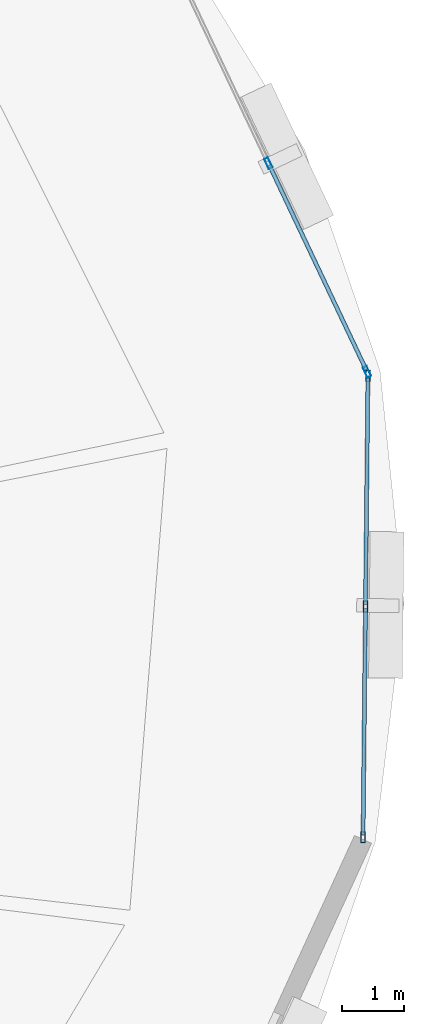
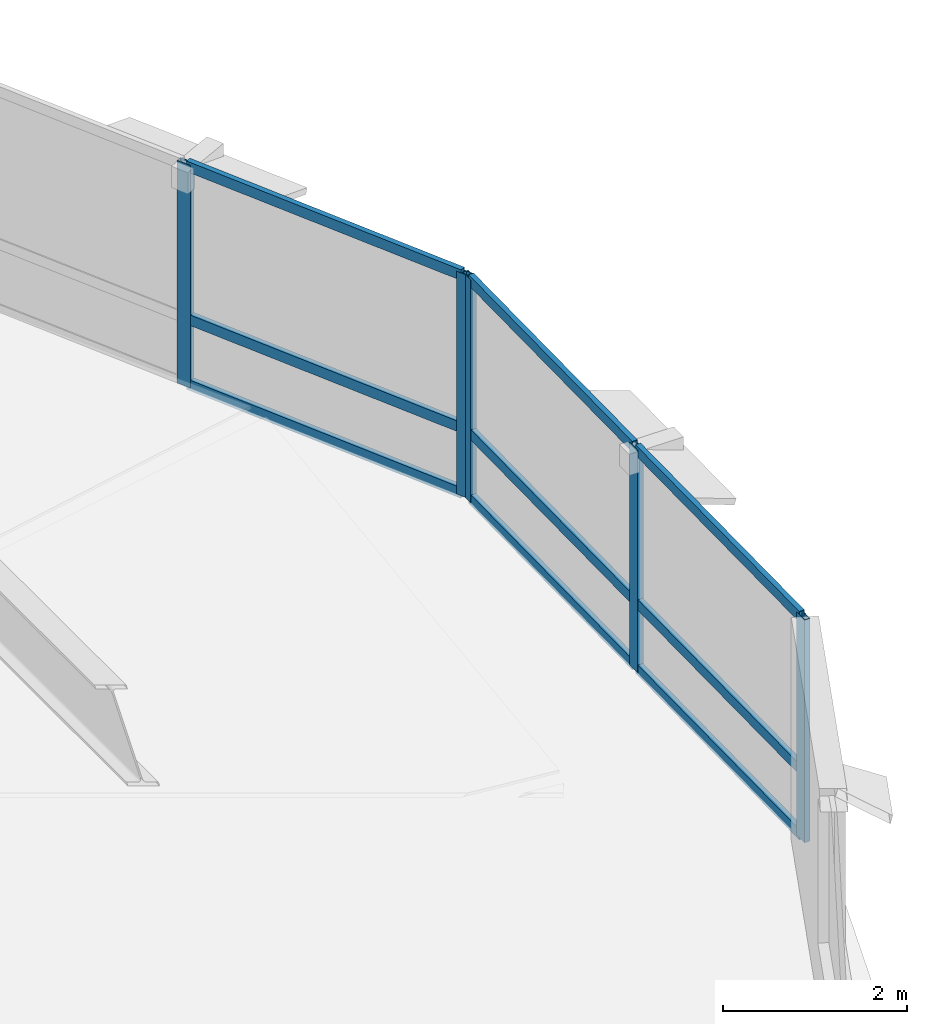
# One storey, part 8 of 17: 14 members, 2 elements without a shape of their own.
"""IFC4 building model written with IfcOpenShell, lengths in metres."""

from ifc_helpers import new_model, si_unit, direction, frame, origin, origin_2d, place, context, subcontext, project, spatial, hollow_rectangle, extrude, material, layer, layer_set, material_profile, profile_set, type_object, element, aggregate, save


model = new_model("IFC4")

# Units and contexts
model_context = context("Model", 3, precision=1e-05, world=origin(), true_north=direction((0.0, 1.0)))
body_context = subcontext(model_context, "Body", "Model", "MODEL_VIEW")
ifc_project = project(units=[si_unit("LENGTHUNIT", "METRE"), si_unit("AREAUNIT", "SQUARE_METRE"), si_unit("VOLUMEUNIT", "CUBIC_METRE"), si_unit("PLANEANGLEUNIT", "RADIAN"), si_unit("MASSUNIT", "GRAM", prefix="KILO"), si_unit("THERMODYNAMICTEMPERATUREUNIT", "KELVIN"), si_unit("POWERUNIT", "WATT")], contexts=[model_context])

# Site, building, storey
site_placement = place(None, origin())
site = spatial("IfcSite", under=ifc_project, at=site_placement, CompositionType="ELEMENT")
building_placement = place(site_placement, origin())
building = spatial("IfcBuilding", under=site, at=building_placement, Name="Ocrelia Relay Tower", CompositionType="ELEMENT")
storey_placement = place(building_placement, frame((0.0, 0.0, 84.60009765625)))
storey = spatial("IfcBuildingStorey", under=building, at=storey_placement, Name="L19", CompositionType="ELEMENT", Elevation=84.60009765625)

# Curtain wall, members
ifc_material_1 = material(Name="Aluminium and solar-control low-E glass", Category="aluminium")
ifc_layer = layer(ifc_material_1, 0.179931640625, Name="Aluminium and solar-control low-E glass")
ifc_layer_set = layer_set([ifc_layer], Name="Aluminium and solar-control low-E glass")
curtain_wall_type = type_object("IfcCurtainWallType", Name="CW-SYS-Z1-DATA", PredefinedType="NOTDEFINED", material=ifc_layer_set)
curtain_wall_1_placement = place(storey_placement, origin())
curtain_wall_1 = element("IfcCurtainWall", 1, at=curtain_wall_1_placement, inside=storey, type_object=curtain_wall_type, Name="L19 Elliptical Tower Curtain Wall Bay 01", PredefinedType="NOTDEFINED")
ifc_material_2 = material(Name="Anodised bronze aluminium", Category="aluminium")
ifc_material_profile_1 = material_profile(ifc_material_2, hollow_rectangle(XDim=0.070068359375, YDim=0.179931640625, WallThickness=0.006103515625, at=origin_2d()), Name="CW-MUL-180x70")
ifc_profile_set_1 = profile_set([ifc_material_profile_1], Name="Anodised bronze aluminium")
member_type_1 = type_object("IfcMemberType", Name="CW-SYS-Z1-DATA-MUL", PredefinedType="MULLION", material=ifc_profile_set_1)
member_1_placement = place(storey_placement, frame((61.141845703125, 31.9775390625, 0.0), z_axis=(0.0, 0.0, 1.0), x_axis=(-0.904007319027, -0.42751697878, 0.0)))
member_1 = element("IfcMember", 2, at=member_1_placement, type_object=member_type_1, Name="CW-Z1 mullion 1", PredefinedType="MULLION", context=body_context, shape_type="SweptSolid", body=[
    extrude(hollow_rectangle(XDim=0.070068359375, YDim=0.179931640625, WallThickness=0.006103515625, at=origin_2d()), origin(), (0.0, 0.0, 1.0), 2.9599609375),
])
member_2_placement = place(storey_placement, frame((59.558837890625, 35.324951171875, 0.0), z_axis=(0.0, 0.0, 1.0), x_axis=(-0.904007319027, -0.42751697878, 0.0)))
member_2 = element("IfcMember", 3, at=member_2_placement, type_object=member_type_1, Name="CW-Z1 mullion 2", PredefinedType="MULLION", context=body_context, shape_type="SweptSolid", body=[
    extrude(hollow_rectangle(XDim=0.070068359375, YDim=0.179931640625, WallThickness=0.006103515625, at=origin_2d()), origin(), (0.0, 0.0, 1.0), 2.9599609375),
])

curtain_wall_2_placement = place(storey_placement, origin())
curtain_wall_2 = element("IfcCurtainWall", 4, at=curtain_wall_2_placement, inside=storey, type_object=curtain_wall_type, Name="L19 Elliptical Tower Curtain Wall Bay 18", PredefinedType="NOTDEFINED")
member_3_placement = place(storey_placement, frame((61.077392578125, 24.505859375, 0.0), z_axis=(0.0, 0.0, 1.0), x_axis=(-0.999943306038, 0.010648225703, 0.0)))
member_3 = element("IfcMember", 5, at=member_3_placement, type_object=member_type_1, Name="CW-Z1 mullion 1", PredefinedType="MULLION", context=body_context, shape_type="SweptSolid", body=[
    extrude(hollow_rectangle(XDim=0.070068359375, YDim=0.179931640625, WallThickness=0.006103515625, at=origin_2d()), origin(), (0.0, 0.0, 1.0), 2.9599609375),
])
member_4_placement = place(storey_placement, frame((61.116943359375, 28.20849609375, 0.0), z_axis=(0.0, 0.0, 1.0), x_axis=(-0.999943306038, 0.010648225703, 0.0)))
member_4 = element("IfcMember", 6, at=member_4_placement, type_object=member_type_1, Name="CW-Z1 mullion 2", PredefinedType="MULLION", context=body_context, shape_type="SweptSolid", body=[
    extrude(hollow_rectangle(XDim=0.070068359375, YDim=0.179931640625, WallThickness=0.006103515625, at=origin_2d()), origin(), (0.0, 0.0, 1.0), 2.9599609375),
])
member_5_placement = place(storey_placement, frame((61.15625, 31.910888671875, 0.0), z_axis=(0.0, 0.0, 1.0), x_axis=(-0.999943306038, 0.010648225703, 0.0)))
member_5 = element("IfcMember", 7, at=member_5_placement, type_object=member_type_1, Name="CW-Z1 mullion 3", PredefinedType="MULLION", context=body_context, shape_type="SweptSolid", body=[
    extrude(hollow_rectangle(XDim=0.070068359375, YDim=0.179931640625, WallThickness=0.006103515625, at=origin_2d()), origin(), (0.0, 0.0, 1.0), 2.9599609375),
])

# Member
ifc_material_profile_2 = material_profile(ifc_material_2, hollow_rectangle(XDim=0.06494140625, YDim=0.139892578125, WallThickness=0.0048828125, at=origin_2d()), Name="CW-TRN-140x65")
ifc_profile_set_2 = profile_set([ifc_material_profile_2], Name="Anodised bronze aluminium")
member_type_2 = type_object("IfcMemberType", Name="CW-SYS-Z1-DATA-TRN", PredefinedType="USERDEFINED", material=ifc_profile_set_2)
member_6_placement = place(storey_placement, frame((61.126708984375, 32.00927734375, 0.032470703125), z_axis=(-0.42750845312, 0.904011350875, 0.0), x_axis=(-0.904011350875, -0.42750845312, 0.0)))
member_6 = element("IfcMember", 8, at=member_6_placement, type_object=member_type_2, Name="CW-Z1 transom 1.1", ObjectType="TRANSOM", PredefinedType="USERDEFINED", context=body_context, shape_type="SweptSolid", body=[
    extrude(hollow_rectangle(XDim=0.06494140625, YDim=0.139892578125, WallThickness=0.0048828125, at=origin_2d()), origin(), (0.0, 0.0, 1.0), 3.632568359375),
])

member_7_placement = place(storey_placement, frame((61.126708984375, 32.00927734375, 0.89990234375), z_axis=(-0.42750845312, 0.904011350875, 0.0), x_axis=(-0.904011350875, -0.42750845312, 0.0)))
member_7 = element("IfcMember", 9, at=member_7_placement, type_object=member_type_2, Name="CW-Z1 transom 1.2", ObjectType="TRANSOM", PredefinedType="USERDEFINED", context=body_context, shape_type="SweptSolid", body=[
    extrude(hollow_rectangle(XDim=0.06494140625, YDim=0.139892578125, WallThickness=0.0048828125, at=origin_2d()), origin(), (0.0, 0.0, 1.0), 3.632568359375),
])

member_8_placement = place(storey_placement, frame((61.126708984375, 32.00927734375, 2.927490234375), z_axis=(-0.42750845312, 0.904011350875, 0.0), x_axis=(-0.904011350875, -0.42750845312, 0.0)))
member_8 = element("IfcMember", 10, at=member_8_placement, type_object=member_type_2, Name="CW-Z1 transom 1.3", ObjectType="TRANSOM", PredefinedType="USERDEFINED", context=body_context, shape_type="SweptSolid", body=[
    extrude(hollow_rectangle(XDim=0.06494140625, YDim=0.139892578125, WallThickness=0.0048828125, at=origin_2d()), origin(), (0.0, 0.0, 1.0), 3.632568359375),
])

aggregate(curtain_wall_1, [member_1, member_2, member_6, member_7, member_8])

member_9_placement = place(storey_placement, frame((61.077880859375, 24.541015625, 0.032470703125), z_axis=(0.010619108165, 0.999943615681, 0.0), x_axis=(-0.999943615681, 0.010619108165, 0.0)))
member_9 = element("IfcMember", 11, at=member_9_placement, type_object=member_type_2, Name="CW-Z1 transom 1.1", ObjectType="TRANSOM", PredefinedType="USERDEFINED", context=body_context, shape_type="SweptSolid", body=[
    extrude(hollow_rectangle(XDim=0.06494140625, YDim=0.139892578125, WallThickness=0.0048828125, at=origin_2d()), origin(), (0.0, 0.0, 1.0), 3.632568359375),
])

member_10_placement = place(storey_placement, frame((61.077880859375, 24.541015625, 0.89990234375), z_axis=(0.010619108165, 0.999943615681, 0.0), x_axis=(-0.999943615681, 0.010619108165, 0.0)))
member_10 = element("IfcMember", 12, at=member_10_placement, type_object=member_type_2, Name="CW-Z1 transom 1.2", ObjectType="TRANSOM", PredefinedType="USERDEFINED", context=body_context, shape_type="SweptSolid", body=[
    extrude(hollow_rectangle(XDim=0.06494140625, YDim=0.139892578125, WallThickness=0.0048828125, at=origin_2d()), origin(), (0.0, 0.0, 1.0), 3.632568359375),
])

member_11_placement = place(storey_placement, frame((61.077880859375, 24.541015625, 2.927490234375), z_axis=(0.010619108165, 0.999943615681, 0.0), x_axis=(-0.999943615681, 0.010619108165, 0.0)))
member_11 = element("IfcMember", 13, at=member_11_placement, type_object=member_type_2, Name="CW-Z1 transom 1.3", ObjectType="TRANSOM", PredefinedType="USERDEFINED", context=body_context, shape_type="SweptSolid", body=[
    extrude(hollow_rectangle(XDim=0.06494140625, YDim=0.139892578125, WallThickness=0.0048828125, at=origin_2d()), origin(), (0.0, 0.0, 1.0), 3.632568359375),
])

member_12_placement = place(storey_placement, frame((61.1171875, 28.243408203125, 0.032470703125), z_axis=(0.010685591927, 0.999942907433, 0.0), x_axis=(-0.999942907433, 0.010685591927, 0.0)))
member_12 = element("IfcMember", 14, at=member_12_placement, type_object=member_type_2, Name="CW-Z1 transom 2.1", ObjectType="TRANSOM", PredefinedType="USERDEFINED", context=body_context, shape_type="SweptSolid", body=[
    extrude(hollow_rectangle(XDim=0.06494140625, YDim=0.139892578125, WallThickness=0.0048828125, at=origin_2d()), origin(), (0.0, 0.0, 1.0), 3.6328125),
])

member_13_placement = place(storey_placement, frame((61.1171875, 28.243408203125, 0.89990234375), z_axis=(0.010685591927, 0.999942907433, 0.0), x_axis=(-0.999942907433, 0.010685591927, 0.0)))
member_13 = element("IfcMember", 15, at=member_13_placement, type_object=member_type_2, Name="CW-Z1 transom 2.2", ObjectType="TRANSOM", PredefinedType="USERDEFINED", context=body_context, shape_type="SweptSolid", body=[
    extrude(hollow_rectangle(XDim=0.06494140625, YDim=0.139892578125, WallThickness=0.0048828125, at=origin_2d()), origin(), (0.0, 0.0, 1.0), 3.6328125),
])

member_14_placement = place(storey_placement, frame((61.1171875, 28.243408203125, 2.927490234375), z_axis=(0.010685591927, 0.999942907433, 0.0), x_axis=(-0.999942907433, 0.010685591927, 0.0)))
member_14 = element("IfcMember", 16, at=member_14_placement, type_object=member_type_2, Name="CW-Z1 transom 2.3", ObjectType="TRANSOM", PredefinedType="USERDEFINED", context=body_context, shape_type="SweptSolid", body=[
    extrude(hollow_rectangle(XDim=0.06494140625, YDim=0.139892578125, WallThickness=0.0048828125, at=origin_2d()), origin(), (0.0, 0.0, 1.0), 3.6328125),
])

aggregate(curtain_wall_2, [member_3, member_4, member_5, member_9, member_10, member_11, member_12, member_13, member_14])

save(model, "model.ifc")
